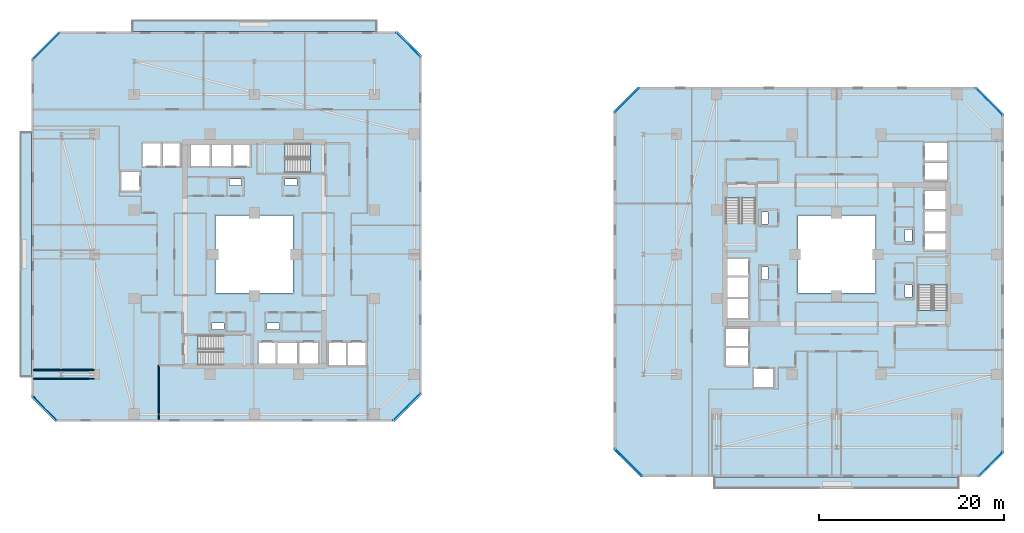
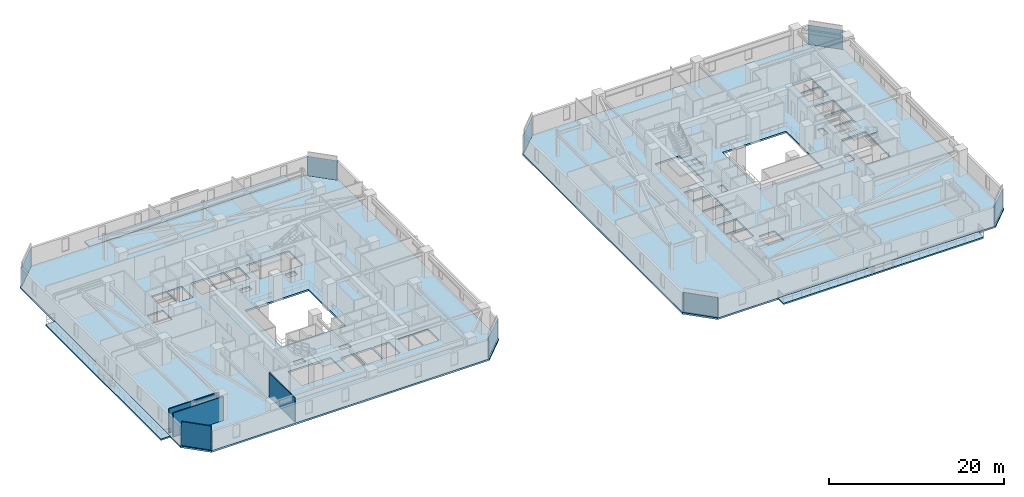
# One storey, part 18 of 33: 9 slabs, 8 plates, 4 walls, 12 elements without a shape of their own.
"""IFC4 building model written with IfcOpenShell, lengths in metres."""

import ifcopenshell
import ifcopenshell.guid

model = None  # the IFC model being written
_history = None  # IfcOwnerHistory: only IFC2X3 demands one
_inside = {}  # id of a spatial element -> (the spatial element, [elements in it])
_under = {}  # id of a project, library or spatial element -> (it, [spatial elements below it])
_declared = {}  # id of a project -> (the project, [libraries it declares])
_typed = {}  # id of a type object -> (the type object, [elements of that type])
_made_of = {}  # id of a material, layer set ... -> (it, [elements and type objects made of it])


def new_model(schema):
    """Start an empty IFC model of exactly this schema.

    Asked for "IFC4X3", IfcOpenShell would pick the latest addendum, in which some entities
    have other attributes; the version numbers below select the first issue.
    IFC2X3 requires an IfcOwnerHistory on every rooted entity: one is made here for all.
    """
    global model, _history
    if schema == "IFC4X3":
        model = ifcopenshell.file(schema_version=(4, 3, 0, 0))
    else:
        model = ifcopenshell.file(schema=schema)
    _inside.clear()
    _under.clear()
    _declared.clear()
    _typed.clear()
    _made_of.clear()
    _history = None
    if model.schema == "IFC2X3":
        org = make("IfcOrganization", Name="unknown")
        user = make(
            "IfcPersonAndOrganization",
            ThePerson=make("IfcPerson", FamilyName="unknown"),
            TheOrganization=org,
        )
        app = make(
            "IfcApplication",
            ApplicationDeveloper=org,
            Version="unknown",
            ApplicationFullName="unknown",
            ApplicationIdentifier="unknown",
        )
        _history = make(
            "IfcOwnerHistory",
            OwningUser=user,
            OwningApplication=app,
            ChangeAction="ADDED",
            CreationDate=0,
        )
    return model


def make(cls, **values):
    """One entity of the class cls with the attributes given. An attribute that is None is left unset."""
    return model.create_entity(
        cls, **{name: value for name, value in values.items() if value is not None}
    )


def rooted(cls, **values):
    """An entity with a GlobalId (a new one), such as an element, a storey or a relation."""
    return make(cls, GlobalId=ifcopenshell.guid.new(), OwnerHistory=_history, **values)


def si_unit(unit_type, name, prefix=None):
    """IfcSIUnit, for example si_unit("LENGTHUNIT", "METRE", prefix="MILLI")."""
    return make("IfcSIUnit", UnitType=unit_type, Prefix=prefix, Name=name)


def assignment(units):
    """IfcUnitAssignment: the units of a project."""
    return None if units is None else make("IfcUnitAssignment", Units=units)


def point(xyz):
    """IfcCartesianPoint."""
    return None if xyz is None else make("IfcCartesianPoint", Coordinates=xyz)


def direction(xyz):
    """IfcDirection."""
    return None if xyz is None else make("IfcDirection", DirectionRatios=xyz)


def frame(location, z_axis=None, x_axis=None):
    """IfcAxis2Placement3D, a coordinate frame: its origin and axes. An axis left out is left unset."""
    return make(
        "IfcAxis2Placement3D",
        Location=point(location),
        Axis=direction(z_axis),
        RefDirection=direction(x_axis),
    )


def frame_2d(location, x_axis=None):
    """IfcAxis2Placement2D, a coordinate frame in the plane: its origin and x axis."""
    return make(
        "IfcAxis2Placement2D", Location=point(location), RefDirection=direction(x_axis)
    )


def origin():
    """The frame at (0, 0, 0) with its axes left unset."""
    return frame((0.0, 0.0, 0.0))


def origin_2d():
    """The frame at (0, 0) in the plane with its x axis left unset."""
    return frame_2d((0.0, 0.0))


def place(relative_to, where):
    """IfcLocalPlacement: puts the frame where relative to a parent placement (None: the world)."""
    return make(
        "IfcLocalPlacement", PlacementRelTo=relative_to, RelativePlacement=where
    )


def context(
    kind, dimensions, precision=None, world=None, true_north=None, identifier=None
):
    """IfcGeometricRepresentationContext, for example the 3D "Model" context."""
    return make(
        "IfcGeometricRepresentationContext",
        ContextIdentifier=identifier,
        ContextType=kind,
        CoordinateSpaceDimension=dimensions,
        Precision=precision,
        WorldCoordinateSystem=world,
        TrueNorth=true_north,
    )


def subcontext(parent, identifier, kind, view, scale=None):
    """IfcGeometricRepresentationSubContext, for example "Body" below "Model"."""
    return make(
        "IfcGeometricRepresentationSubContext",
        ContextIdentifier=identifier,
        ContextType=kind,
        ParentContext=parent,
        TargetScale=scale,
        TargetView=view,
    )


def project(units=None, contexts=None):
    """IfcProject with its units and contexts."""
    return rooted(
        "IfcProject",
        Name="project",
        RepresentationContexts=contexts,
        UnitsInContext=assignment(units),
    )


def spatial(cls, under=None, at=None, **own):
    """A site, building, storey or space (cls), placed at a placement, below another one or the project."""
    s = rooted(cls, ObjectPlacement=at, **own)
    if under is not None:
        _under.setdefault(under.id(), (under, []))[1].append(s)
    return s


def polyline(points):
    """IfcPolyline through the points."""
    return make("IfcPolyline", Points=[point(p) for p in points])


def profile(cls, at=None, kind="AREA", **sizes):
    """A parametric profile (cls). Its sizes go by their IFC names, for example OverallWidth=200.0."""
    return make(cls, ProfileType=kind, Position=at, **sizes)


def rectangle(**sizes):
    """IfcRectangleProfileDef."""
    return profile("IfcRectangleProfileDef", **sizes)


def outline(outer, holes=None, kind="AREA"):
    """IfcArbitraryClosedProfileDef: a profile drawn as a closed curve; with holes, ...WithVoids."""
    if holes is None:
        return make("IfcArbitraryClosedProfileDef", ProfileType=kind, OuterCurve=outer)
    return make(
        "IfcArbitraryProfileDefWithVoids",
        ProfileType=kind,
        OuterCurve=outer,
        InnerCurves=holes,
    )


def extrude(swept, where, along, depth):
    """IfcExtrudedAreaSolid: the profile swept, set in the frame where, extruded along a direction by depth."""
    return make(
        "IfcExtrudedAreaSolid",
        SweptArea=swept,
        Position=where,
        ExtrudedDirection=direction(along),
        Depth=depth,
    )


def shape(context_of_items, identifier, shape_type, items):
    """IfcShapeRepresentation: the items that make up one representation, for example the "Body"."""
    return make(
        "IfcShapeRepresentation",
        ContextOfItems=context_of_items,
        RepresentationIdentifier=identifier,
        RepresentationType=shape_type,
        Items=items,
    )


def material(Name=None, Category=None):
    """IfcMaterial."""
    return make("IfcMaterial", Name=Name, Category=Category)


def layer(
    of_material, thickness, ventilated=None, Name=None, Category=None, Priority=None
):
    """IfcMaterialLayer: one layer of a wall or slab, of a material (None: an air gap)."""
    return make(
        "IfcMaterialLayer",
        Material=of_material,
        LayerThickness=thickness,
        IsVentilated=ventilated,
        Name=Name,
        Category=Category,
        Priority=Priority,
    )


def layer_set(layers, Name=None):
    """IfcMaterialLayerSet."""
    return make("IfcMaterialLayerSet", MaterialLayers=layers, LayerSetName=Name)


def made_of(thing, what):
    """Note that an element or type object is made of a material, layer set ...; save() writes the relation."""
    if what is not None:
        _made_of.setdefault(what.id(), (what, []))[1].append(thing)
    return thing


def type_object(cls, material=None, **own):
    """A type object (cls), such as IfcWallType, which elements share."""
    return made_of(rooted(cls, **own), material)


def element(
    cls,
    number,
    at=None,
    inside=None,
    cuts=None,
    type_object=None,
    material=None,
    context=None,
    identifier="Body",
    shape_type=None,
    held_by="IfcProductDefinitionShape",
    body=None,
    shapes=None,
    **own,
):
    """One element of the class cls, such as IfcWall. Its Tag is "e" and its number.

    at: its placement. inside: the storey or other place that contains it. cuts: it is an
    opening in that element (IfcRelVoidsElement). A single representation is given by context,
    identifier, shape_type and body (its items); several are given by shapes. held_by: the class
    of the entity that holds the representations. save() writes the other relations.
    """
    e = rooted(cls, Tag="e%d" % number, ObjectPlacement=at, **own)
    if body is not None:
        shapes = [shape(context, identifier, shape_type, body)]
    if shapes is not None:
        e.Representation = make(held_by, Representations=shapes)
    if inside is not None:
        _inside.setdefault(inside.id(), (inside, []))[1].append(e)
    if cuts is not None:
        rooted(
            "IfcRelVoidsElement", RelatingBuildingElement=cuts, RelatedOpeningElement=e
        )
    if type_object is not None:
        _typed.setdefault(type_object.id(), (type_object, []))[1].append(e)
    return made_of(e, material)


def aggregate(whole, parts):
    """IfcRelAggregates: a whole, such as a stair, and the parts it consists of."""
    return rooted("IfcRelAggregates", RelatingObject=whole, RelatedObjects=parts)


def save(model, path):
    """Write the relations noted so far, then the file.

    IfcRelAggregates (storeys below a building ...), IfcRelContainedInSpatialStructure (elements
    in a storey), IfcRelDefinesByType, IfcRelAssociatesMaterial and IfcRelDeclares: one each for
    every whole, place, type object, material and project.
    """
    for whole, parts in _under.values():
        aggregate(whole, parts)
    for where, things in _inside.values():
        rooted(
            "IfcRelContainedInSpatialStructure",
            RelatedElements=things,
            RelatingStructure=where,
        )
    for kind, things in _typed.values():
        rooted("IfcRelDefinesByType", RelatedObjects=things, RelatingType=kind)
    for what, things in _made_of.values():
        rooted("IfcRelAssociatesMaterial", RelatedObjects=things, RelatingMaterial=what)
    for by, libraries in _declared.values():
        rooted("IfcRelDeclares", RelatingContext=by, RelatedDefinitions=libraries)
    model.write(path)


model = new_model("IFC4")

# Units and contexts
model_context = context("Model", 3, precision=1e-05, world=origin(), true_north=direction((0.0, 1.0)))
body_context = subcontext(model_context, "Body", "Model", "MODEL_VIEW")
ifc_project = project(units=[si_unit("LENGTHUNIT", "METRE"), si_unit("AREAUNIT", "SQUARE_METRE"), si_unit("VOLUMEUNIT", "CUBIC_METRE"), si_unit("PLANEANGLEUNIT", "RADIAN"), si_unit("MASSUNIT", "GRAM", prefix="KILO")], contexts=[model_context])

# Site, building, storey
site_placement = place(None, origin())
site = spatial("IfcSite", under=ifc_project, at=site_placement, CompositionType="ELEMENT")
building_placement = place(site_placement, origin())
building = spatial("IfcBuilding", under=site, at=building_placement, Name="Thornwick Lancets Civic Towers", CompositionType="ELEMENT")
storey_placement = place(building_placement, frame((0.0, 0.0, 112.5)))
storey = spatial("IfcBuildingStorey", under=building, at=storey_placement, Name="L29", CompositionType="ELEMENT", Elevation=112.5)

# Curtain wall, plate
ifc_material_1 = material(Name="Low-zone chamfered-corner unitised glass curtain wall", Category="glass")
curtain_wall_type = type_object("IfcCurtainWallType", Name="CW_SYS_03", PredefinedType="NOTDEFINED", material=ifc_material_1)
curtain_wall_1_placement = place(storey_placement, origin())
curtain_wall_1 = element("IfcCurtainWall", 1, at=curtain_wall_1_placement, inside=storey, type_object=curtain_wall_type, Name="L29 Curtain Wall CW-L29-A-E1", PredefinedType="NOTDEFINED")
ifc_material_2 = material(Name="Low-e double glazing clear glass", Category="glass")
ifc_layer_1 = layer(ifc_material_2, 0.035888671875, Name="Low-e double glazing clear glass")
ifc_layer_set_1 = layer_set([ifc_layer_1], Name="Low-e double glazing clear glass")
plate_type = type_object("IfcPlateType", Name="CW_PNL_GLASS", PredefinedType="CURTAIN_PANEL", material=ifc_layer_set_1)
plate_1_placement = place(storey_placement, frame((42.009521484375, 10.490478515625, 0.0), z_axis=(0.0, 0.0, 1.0), x_axis=(0.707106781187, 0.707106781187, 0.0)))
plate_1 = element("IfcPlate", 2, at=plate_1_placement, type_object=plate_type, Name="CW-L29-A-E1 Panel 0", PredefinedType="CURTAIN_PANEL", context=body_context, shape_type="SweptSolid", body=[
    extrude(rectangle(XDim=4.108642578125, YDim=0.035888671875, at=origin_2d()), origin(), (0.0, 0.0, 1.0), 2.699951171875),
])
aggregate(curtain_wall_1, [plate_1])

curtain_wall_2_placement = place(storey_placement, origin())
curtain_wall_2 = element("IfcCurtainWall", 3, at=curtain_wall_2_placement, inside=storey, type_object=curtain_wall_type, Name="L29 Curtain Wall CW-L29-A-E3", PredefinedType="NOTDEFINED")
plate_2_placement = place(storey_placement, frame((42.173095703125, 49.673095703125, 0.0), z_axis=(0.0, 0.0, 1.0), x_axis=(-0.707106781187, 0.707106781187, 0.0)))
plate_2 = element("IfcPlate", 4, at=plate_2_placement, type_object=plate_type, Name="CW-L29-A-E3 Panel 0", PredefinedType="CURTAIN_PANEL", context=body_context, shape_type="SweptSolid", body=[
    extrude(rectangle(XDim=3.6494140625, YDim=0.035888671875, at=origin_2d()), origin(), (0.0, 0.0, 1.0), 2.699951171875),
])
aggregate(curtain_wall_2, [plate_2])

curtain_wall_3_placement = place(storey_placement, origin())
curtain_wall_3 = element("IfcCurtainWall", 5, at=curtain_wall_3_placement, inside=storey, type_object=curtain_wall_type, Name="L29 Curtain Wall CW-L29-A-E5", PredefinedType="NOTDEFINED")
plate_3_placement = place(storey_placement, frame((2.990478515625, 49.509521484375, 0.0), z_axis=(0.0, 0.0, 1.0), x_axis=(-0.707106781187, -0.707106781187, 0.0)))
plate_3 = element("IfcPlate", 6, at=plate_3_placement, type_object=plate_type, Name="CW-L29-A-E5 Panel 0", PredefinedType="CURTAIN_PANEL", context=body_context, shape_type="SweptSolid", body=[
    extrude(rectangle(XDim=4.108642578125, YDim=0.035888671875, at=origin_2d()), origin(), (0.0, 0.0, 1.0), 2.699951171875),
])
aggregate(curtain_wall_3, [plate_3])

curtain_wall_4_placement = place(storey_placement, origin())
curtain_wall_4 = element("IfcCurtainWall", 7, at=curtain_wall_4_placement, inside=storey, type_object=curtain_wall_type, Name="L29 Curtain Wall CW-L29-A-E7", PredefinedType="NOTDEFINED")
plate_4_placement = place(storey_placement, frame((2.826904296875, 10.326904296875, 0.0), z_axis=(0.0, 0.0, 1.0), x_axis=(0.707106781187, -0.707106781187, 0.0)))
plate_4 = element("IfcPlate", 8, at=plate_4_placement, type_object=plate_type, Name="CW-L29-A-E7 Panel 0", PredefinedType="CURTAIN_PANEL", context=body_context, shape_type="SweptSolid", body=[
    extrude(rectangle(XDim=3.6494140625, YDim=0.035888671875, at=origin_2d()), origin(), (0.0, 0.0, 1.0), 2.699951171875),
])
aggregate(curtain_wall_4, [plate_4])

curtain_wall_5_placement = place(storey_placement, origin())
curtain_wall_5 = element("IfcCurtainWall", 9, at=curtain_wall_5_placement, inside=storey, type_object=curtain_wall_type, Name="L29 Curtain Wall CW-L29-B-E1", PredefinedType="NOTDEFINED")
plate_5_placement = place(storey_placement, frame((105.173095703125, 4.326904296875, 0.0), z_axis=(0.0, 0.0, 1.0), x_axis=(0.707106781187, 0.707106781187, 0.0)))
plate_5 = element("IfcPlate", 10, at=plate_5_placement, type_object=plate_type, Name="CW-L29-B-E1 Panel 0", PredefinedType="CURTAIN_PANEL", context=body_context, shape_type="SweptSolid", body=[
    extrude(rectangle(XDim=3.6494140625, YDim=0.035888671875, at=origin_2d()), origin(), (0.0, 0.0, 1.0), 2.699951171875),
])
aggregate(curtain_wall_5, [plate_5])

curtain_wall_6_placement = place(storey_placement, origin())
curtain_wall_6 = element("IfcCurtainWall", 11, at=curtain_wall_6_placement, inside=storey, type_object=curtain_wall_type, Name="L29 Curtain Wall CW-L29-B-E3", PredefinedType="NOTDEFINED")
plate_6_placement = place(storey_placement, frame((105.009521484375, 43.509521484375, 0.0), z_axis=(0.0, 0.0, 1.0), x_axis=(-0.707106781187, 0.707106781187, 0.0)))
plate_6 = element("IfcPlate", 12, at=plate_6_placement, type_object=plate_type, Name="CW-L29-B-E3 Panel 0", PredefinedType="CURTAIN_PANEL", context=body_context, shape_type="SweptSolid", body=[
    extrude(rectangle(XDim=4.108642578125, YDim=0.035888671875, at=origin_2d()), origin(), (0.0, 0.0, 1.0), 2.699951171875),
])
aggregate(curtain_wall_6, [plate_6])

curtain_wall_7_placement = place(storey_placement, origin())
curtain_wall_7 = element("IfcCurtainWall", 13, at=curtain_wall_7_placement, inside=storey, type_object=curtain_wall_type, Name="L29 Curtain Wall CW-L29-B-E5", PredefinedType="NOTDEFINED")
plate_7_placement = place(storey_placement, frame((65.826904296875, 43.673095703125, 0.0), z_axis=(0.0, 0.0, 1.0), x_axis=(-0.707106781187, -0.707106781187, 0.0)))
plate_7 = element("IfcPlate", 14, at=plate_7_placement, type_object=plate_type, Name="CW-L29-B-E5 Panel 0", PredefinedType="CURTAIN_PANEL", context=body_context, shape_type="SweptSolid", body=[
    extrude(rectangle(XDim=3.6494140625, YDim=0.035888671875, at=origin_2d()), origin(), (0.0, 0.0, 1.0), 2.699951171875),
])
aggregate(curtain_wall_7, [plate_7])

curtain_wall_8_placement = place(storey_placement, origin())
curtain_wall_8 = element("IfcCurtainWall", 15, at=curtain_wall_8_placement, inside=storey, type_object=curtain_wall_type, Name="L29 Curtain Wall CW-L29-B-E7", PredefinedType="NOTDEFINED")
plate_8_placement = place(storey_placement, frame((65.990478515625, 4.490478515625, 0.0), z_axis=(0.0, 0.0, 1.0), x_axis=(0.707106781187, -0.707106781187, 0.0)))
plate_8 = element("IfcPlate", 16, at=plate_8_placement, type_object=plate_type, Name="CW-L29-B-E7 Panel 0", PredefinedType="CURTAIN_PANEL", context=body_context, shape_type="SweptSolid", body=[
    extrude(rectangle(XDim=4.108642578125, YDim=0.035888671875, at=origin_2d()), origin(), (0.0, 0.0, 1.0), 2.699951171875),
])
aggregate(curtain_wall_8, [plate_8])

# Slabs
ifc_material_3 = material(Name="Post-tensioned concrete C40/50", Category="concrete")
ifc_layer_2 = layer(ifc_material_3, 0.199951171875, Name="Post-tensioned concrete C40/50")
ifc_layer_set_2 = layer_set([ifc_layer_2], Name="Post-tensioned concrete C40/50")
slab_type_1 = type_object("IfcSlabType", Name="SLAB_BALCONY_200", PredefinedType="FLOOR", material=ifc_layer_set_2)
slab_1_placement = place(storey_placement, frame((0.0, 0.0, -0.199951171875)))
element("IfcSlab", 17, at=slab_1_placement, inside=storey, type_object=slab_type_1, Name="L29 Tower A Planted Balcony Slab W", PredefinedType="FLOOR", context=body_context, shape_type="SweptSolid", body=[
    extrude(outline(polyline([(0.14990234375, 13.800048828125), (1.39990234375, 13.800048828125), (1.39990234375, 40.199951171875), (0.14990234375, 40.199951171875), (0.14990234375, 13.800048828125)])), origin(), (0.0, 0.0, 1.0), 0.199951171875),
])
slab_2_placement = place(storey_placement, frame((0.0, 0.0, -0.199951171875)))
element("IfcSlab", 18, at=slab_2_placement, inside=storey, type_object=slab_type_1, Name="L29 Tower A Planted Balcony Slab N", PredefinedType="FLOOR", context=body_context, shape_type="SweptSolid", body=[
    extrude(outline(polyline([(12.300048828125, 51.10009765625), (38.699951171875, 51.10009765625), (38.699951171875, 52.35009765625), (12.300048828125, 52.35009765625), (12.300048828125, 51.10009765625)])), origin(), (0.0, 0.0, 1.0), 0.199951171875),
])
slab_3_placement = place(storey_placement, frame((0.0, 0.0, -0.199951171875)))
element("IfcSlab", 19, at=slab_3_placement, inside=storey, type_object=slab_type_1, Name="L29 Tower B Planted Balcony Slab S", PredefinedType="FLOOR", context=body_context, shape_type="SweptSolid", body=[
    extrude(outline(polyline([(75.300048828125, 1.64990234375), (101.699951171875, 1.64990234375), (101.699951171875, 2.89990234375), (75.300048828125, 2.89990234375), (75.300048828125, 1.64990234375)])), origin(), (0.0, 0.0, 1.0), 0.199951171875),
])

# Stair, slab
ifc_material_4 = material(Name="Concrete C40/50", Category="concrete")
stair_type = type_object("IfcStairType", Name="STAIR_DL_3600", PredefinedType="HALF_TURN_STAIR", material=ifc_material_4)
stair_1_placement = place(storey_placement, origin())
stair_1 = element("IfcStair", 20, at=stair_1_placement, inside=storey, type_object=stair_type, Name="L29 Tower A South Exit Stair ST-A1", PredefinedType="HALF_TURN_STAIR")
ifc_layer_3 = layer(ifc_material_4, 0.25, Name="Concrete C40/50")
ifc_layer_set_3 = layer_set([ifc_layer_3], Name="Concrete C40/50")
slab_type_2 = type_object("IfcSlabType", Name="SLAB_LANDING_200", PredefinedType="LANDING", material=ifc_layer_set_3)
slab_4_placement = place(storey_placement, frame((0.0, 0.0, 1.60302734375)))
slab_4 = element("IfcSlab", 21, at=slab_4_placement, type_object=slab_type_2, Name="ST-A1 landing 1", PredefinedType="LANDING", context=body_context, shape_type="SweptSolid", body=[
    extrude(outline(polyline([(22.169921875, 14.93994140625), (25.14990234375, 14.93994140625), (25.14990234375, 18.260009765625), (22.169921875, 18.260009765625), (22.169921875, 14.93994140625)])), origin(), (0.0, 0.0, 1.0), 0.199951171875),
])
aggregate(stair_1, [slab_4])

stair_2_placement = place(storey_placement, origin())
stair_2 = element("IfcStair", 22, at=stair_2_placement, inside=storey, type_object=stair_type, Name="L29 Tower A North Exit Stair ST-A2", PredefinedType="HALF_TURN_STAIR")
slab_5_placement = place(storey_placement, frame((0.0, 0.0, 1.60302734375)))
slab_5 = element("IfcSlab", 23, at=slab_5_placement, type_object=slab_type_2, Name="ST-A2 landing 1", PredefinedType="LANDING", context=body_context, shape_type="SweptSolid", body=[
    extrude(outline(polyline([(28.830078125, 39.06005859375), (25.85009765625, 39.06005859375), (25.85009765625, 35.739990234375), (28.830078125, 35.739990234375), (28.830078125, 39.06005859375)])), origin(), (0.0, 0.0, 1.0), 0.199951171875),
])
aggregate(stair_2, [slab_5])

stair_3_placement = place(storey_placement, origin())
stair_3 = element("IfcStair", 24, at=stair_3_placement, inside=storey, type_object=stair_type, Name="L29 Tower B East Exit Stair ST-B1", PredefinedType="HALF_TURN_STAIR")
slab_6_placement = place(storey_placement, frame((0.0, 0.0, 1.60302734375)))
slab_6 = element("IfcSlab", 25, at=slab_6_placement, type_object=slab_type_2, Name="ST-B1 landing 1", PredefinedType="LANDING", context=body_context, shape_type="SweptSolid", body=[
    extrude(outline(polyline([(100.56005859375, 23.669921875), (100.56005859375, 26.64990234375), (97.239990234375, 26.64990234375), (97.239990234375, 23.669921875), (100.56005859375, 23.669921875)])), origin(), (0.0, 0.0, 1.0), 0.199951171875),
])
aggregate(stair_3, [slab_6])

stair_4_placement = place(storey_placement, origin())
stair_4 = element("IfcStair", 26, at=stair_4_placement, inside=storey, type_object=stair_type, Name="L29 Tower B West Exit Stair ST-B2", PredefinedType="HALF_TURN_STAIR")
slab_7_placement = place(storey_placement, frame((0.0, 0.0, 1.60302734375)))
slab_7 = element("IfcSlab", 27, at=slab_7_placement, type_object=slab_type_2, Name="ST-B2 landing 1", PredefinedType="LANDING", context=body_context, shape_type="SweptSolid", body=[
    extrude(outline(polyline([(76.43994140625, 30.330078125), (76.43994140625, 27.35009765625), (79.760009765625, 27.35009765625), (79.760009765625, 30.330078125), (76.43994140625, 30.330078125)])), origin(), (0.0, 0.0, 1.0), 0.199951171875),
])
aggregate(stair_4, [slab_7])

# Slabs
ifc_layer_4 = layer(ifc_material_3, 0.239990234375, Name="Post-tensioned concrete C40/50")
ifc_layer_set_4 = layer_set([ifc_layer_4], Name="Post-tensioned concrete C40/50")
slab_type_3 = type_object("IfcSlabType", Name="SLAB_PT_240", PredefinedType="FLOOR", material=ifc_layer_set_4)
slab_8_placement = place(storey_placement, frame((0.0, 0.0, -0.239990234375)))
element("IfcSlab", 28, at=slab_8_placement, inside=storey, type_object=slab_type_3, Name="L29 Tower A Floor Slab", PredefinedType="FLOOR", context=body_context, shape_type="SweptSolid", body=[
    extrude(outline(polyline([(4.0, 8.89990234375), (40.673095703125, 8.89990234375), (43.60009765625, 11.826904296875), (43.60009765625, 48.5), (41.0, 51.10009765625), (4.326904296875, 51.10009765625), (1.39990234375, 48.173095703125), (1.39990234375, 11.5), (4.0, 8.89990234375)]), holes=[polyline([(21.300048828125, 22.800048828125), (29.699951171875, 22.800048828125), (29.699951171875, 31.199951171875), (21.300048828125, 31.199951171875), (21.300048828125, 22.800048828125)]), polyline([(19.429931640625, 15.0), (25.10009765625, 15.0), (25.10009765625, 18.199951171875), (19.429931640625, 18.199951171875), (19.429931640625, 15.0)]), polyline([(31.570068359375, 39.0), (25.89990234375, 39.0), (25.89990234375, 35.800048828125), (31.570068359375, 35.800048828125), (31.570068359375, 39.0)]), polyline([(26.0, 15.0), (27.800048828125, 15.0), (27.800048828125, 17.550048828125), (26.0, 17.550048828125), (26.0, 15.0)]), polyline([(28.0, 15.0), (30.14990234375, 15.0), (30.14990234375, 17.550048828125), (28.0, 17.550048828125), (28.0, 15.0)]), polyline([(30.35009765625, 15.0), (32.39990234375, 15.0), (32.39990234375, 17.550048828125), (30.35009765625, 17.550048828125), (30.35009765625, 15.0)]), polyline([(33.550048828125, 15.0), (35.449951171875, 15.0), (35.449951171875, 17.550048828125), (33.550048828125, 17.550048828125), (33.550048828125, 15.0)]), polyline([(35.60009765625, 15.0), (37.550048828125, 15.0), (37.550048828125, 17.550048828125), (35.60009765625, 17.550048828125), (35.60009765625, 15.0)]), polyline([(23.199951171875, 36.449951171875), (25.0, 36.449951171875), (25.0, 39.0), (23.199951171875, 39.0), (23.199951171875, 36.449951171875)]), polyline([(20.85009765625, 36.449951171875), (23.0, 36.449951171875), (23.0, 39.0), (20.85009765625, 39.0), (20.85009765625, 36.449951171875)]), polyline([(18.60009765625, 36.449951171875), (20.699951171875, 36.449951171875), (20.699951171875, 39.0), (18.60009765625, 39.0), (18.60009765625, 36.449951171875)]), polyline([(15.550048828125, 36.449951171875), (17.449951171875, 36.449951171875), (17.449951171875, 39.0), (15.550048828125, 39.0), (15.550048828125, 36.449951171875)]), polyline([(13.449951171875, 36.449951171875), (15.39990234375, 36.449951171875), (15.39990234375, 39.0), (13.449951171875, 39.0), (13.449951171875, 36.449951171875)]), polyline([(11.10009765625, 33.85009765625), (13.199951171875, 33.85009765625), (13.199951171875, 35.949951171875), (11.10009765625, 35.949951171875), (11.10009765625, 33.85009765625)]), polyline([(26.89990234375, 18.85009765625), (28.199951171875, 18.85009765625), (28.199951171875, 19.580078125), (26.89990234375, 19.580078125), (26.89990234375, 18.85009765625)]), polyline([(20.89990234375, 18.85009765625), (22.199951171875, 18.85009765625), (22.199951171875, 19.580078125), (20.89990234375, 19.580078125), (20.89990234375, 18.85009765625)]), polyline([(22.800048828125, 34.419921875), (24.10009765625, 34.419921875), (24.10009765625, 35.14990234375), (22.800048828125, 35.14990234375), (22.800048828125, 34.419921875)]), polyline([(28.800048828125, 34.419921875), (30.10009765625, 34.419921875), (30.10009765625, 35.14990234375), (28.800048828125, 35.14990234375), (28.800048828125, 34.419921875)])]), origin(), (0.0, 0.0, 1.0), 0.239990234375),
])
slab_9_placement = place(storey_placement, frame((0.0, 0.0, -0.239990234375)))
element("IfcSlab", 29, at=slab_9_placement, inside=storey, type_object=slab_type_3, Name="L29 Tower B Floor Slab", PredefinedType="FLOOR", context=body_context, shape_type="SweptSolid", body=[
    extrude(outline(polyline([(67.326904296875, 2.89990234375), (104.0, 2.89990234375), (106.60009765625, 5.5), (106.60009765625, 42.173095703125), (103.673095703125, 45.10009765625), (67.0, 45.10009765625), (64.39990234375, 42.5), (64.39990234375, 5.826904296875), (67.326904296875, 2.89990234375)]), holes=[polyline([(84.300048828125, 22.800048828125), (92.699951171875, 22.800048828125), (92.699951171875, 31.199951171875), (84.300048828125, 31.199951171875), (84.300048828125, 22.800048828125)]), polyline([(100.5, 20.929931640625), (100.5, 26.60009765625), (97.300048828125, 26.60009765625), (97.300048828125, 20.929931640625), (100.5, 20.929931640625)]), polyline([(76.5, 33.070068359375), (76.5, 27.39990234375), (79.699951171875, 27.39990234375), (79.699951171875, 33.070068359375), (76.5, 33.070068359375)]), polyline([(97.949951171875, 27.5), (100.5, 27.5), (100.5, 29.300048828125), (97.949951171875, 29.300048828125), (97.949951171875, 27.5)]), polyline([(97.949951171875, 29.5), (100.5, 29.5), (100.5, 31.64990234375), (97.949951171875, 31.64990234375), (97.949951171875, 29.5)]), polyline([(97.949951171875, 31.85009765625), (100.5, 31.85009765625), (100.5, 33.89990234375), (97.949951171875, 33.89990234375), (97.949951171875, 31.85009765625)]), polyline([(97.949951171875, 35.050048828125), (100.5, 35.050048828125), (100.5, 36.949951171875), (97.949951171875, 36.949951171875), (97.949951171875, 35.050048828125)]), polyline([(97.949951171875, 37.10009765625), (100.5, 37.10009765625), (100.5, 39.050048828125), (97.949951171875, 39.050048828125), (97.949951171875, 37.10009765625)]), polyline([(76.5, 24.699951171875), (79.050048828125, 24.699951171875), (79.050048828125, 26.5), (76.5, 26.5), (76.5, 24.699951171875)]), polyline([(76.5, 22.35009765625), (79.050048828125, 22.35009765625), (79.050048828125, 24.5), (76.5, 24.5), (76.5, 22.35009765625)]), polyline([(76.5, 20.10009765625), (79.050048828125, 20.10009765625), (79.050048828125, 22.199951171875), (76.5, 22.199951171875), (76.5, 20.10009765625)]), polyline([(76.5, 17.050048828125), (79.050048828125, 17.050048828125), (79.050048828125, 18.949951171875), (76.5, 18.949951171875), (76.5, 17.050048828125)]), polyline([(76.5, 14.949951171875), (79.050048828125, 14.949951171875), (79.050048828125, 16.89990234375), (76.5, 16.89990234375), (76.5, 14.949951171875)]), polyline([(79.550048828125, 12.60009765625), (81.64990234375, 12.60009765625), (81.64990234375, 14.699951171875), (79.550048828125, 14.699951171875), (79.550048828125, 12.60009765625)]), polyline([(95.919921875, 28.39990234375), (96.64990234375, 28.39990234375), (96.64990234375, 29.699951171875), (95.919921875, 29.699951171875), (95.919921875, 28.39990234375)]), polyline([(95.919921875, 22.39990234375), (96.64990234375, 22.39990234375), (96.64990234375, 23.699951171875), (95.919921875, 23.699951171875), (95.919921875, 22.39990234375)]), polyline([(80.35009765625, 24.300048828125), (81.080078125, 24.300048828125), (81.080078125, 25.60009765625), (80.35009765625, 25.60009765625), (80.35009765625, 24.300048828125)]), polyline([(80.35009765625, 30.300048828125), (81.080078125, 30.300048828125), (81.080078125, 31.60009765625), (80.35009765625, 31.60009765625), (80.35009765625, 30.300048828125)])]), origin(), (0.0, 0.0, 1.0), 0.239990234375),
])

# Walls
ifc_material_5 = material(Name="Acoustic gypsum board partition")
ifc_layer_5 = layer(ifc_material_5, 0.1201171875, Name="Acoustic gypsum board partition")
ifc_layer_set_5 = layer_set([ifc_layer_5], Name="Acoustic gypsum board partition")
wall_type = type_object("IfcWallType", Name="WALL_PART_120", PredefinedType="PARTITIONING", material=ifc_layer_set_5)
for number, where, z_axis, x_axis, name in (
    (30, (1.580078125, 13.52001953125, 0.0), (0.0, 0.0, 1.0), (1.0, 0.0, 0.0), "L29 Partition L29-A-W1 E2"),
    (31, (8.199951171875, 14.47998046875, 0.0), (0.0, 0.0, 1.0), (-1.0, 0.0, 0.0), "L29 Partition L29-A-W1 E4"),
):
    element("IfcWall", number, at=place(storey_placement, frame(where, z_axis=z_axis, x_axis=x_axis)), inside=storey, type_object=wall_type, Name=name, PredefinedType="PARTITIONING", context=body_context, shape_type="SweptSolid", body=[
        extrude(rectangle(XDim=6.619873046875, YDim=0.1201171875, at=frame_2d((3.31005859375, 0.0))), origin(), (0.0, 0.0, 1.0), 3.340087890625),
    ])
wall_1_placement = place(storey_placement, frame((15.14990234375, 15.0, 0.0), z_axis=(0.0, 0.0, 1.0), x_axis=(0.0, -1.0, 0.0)))
element("IfcWall", 32, at=wall_1_placement, inside=storey, type_object=wall_type, Name="L29 Partition L29-A-W1 E14", PredefinedType="PARTITIONING", context=body_context, shape_type="SweptSolid", body=[
    extrude(rectangle(XDim=5.919921875, YDim=0.1201171875, at=frame_2d((2.9599609375, 0.0))), origin(), (0.0, 0.0, 1.0), 3.340087890625),
])
wall_2_placement = place(storey_placement, frame((4.07470703125, 9.080078125, 0.0), z_axis=(0.0, 0.0, 1.0), x_axis=(-0.707106781187, 0.707106781187, 0.0)))
element("IfcWall", 33, at=wall_2_placement, inside=storey, type_object=wall_type, Name="L29 Partition L29-A-W1 E20", PredefinedType="PARTITIONING", context=body_context, shape_type="SweptSolid", body=[
    extrude(rectangle(XDim=3.52783203125, YDim=0.1201171875, at=frame_2d((1.763916015625, 0.0))), origin(), (0.0, 0.0, 1.0), 3.340087890625),
])

save(model, "model.ifc")
